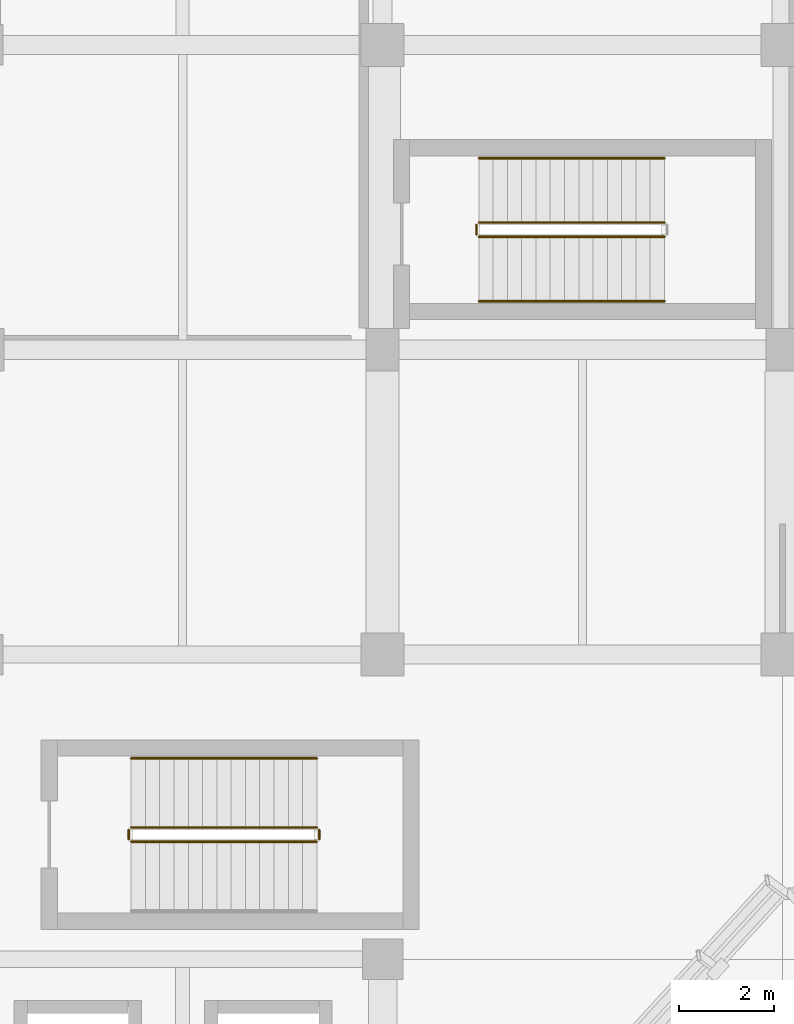
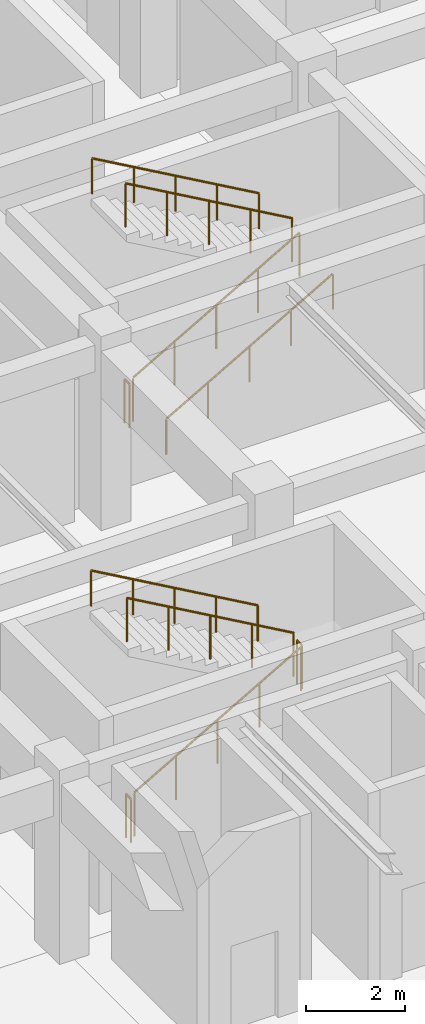
# One storey, part 66 of 72: 10 railings.
"""IFC4 building model written with IfcOpenShell, lengths in metres."""

from ifc_helpers import new_model, si_unit, direction, frame, origin, origin_2d, place, context, subcontext, project, spatial, circle, extrude, material, type_object, element, save


model = new_model("IFC4")

# Units and contexts
model_context = context("Model", 3, precision=1e-05, world=origin(), true_north=direction((0.0, 1.0)))
body_context = subcontext(model_context, "Body", "Model", "MODEL_VIEW")
ifc_project = project(units=[si_unit("LENGTHUNIT", "METRE"), si_unit("AREAUNIT", "SQUARE_METRE"), si_unit("VOLUMEUNIT", "CUBIC_METRE"), si_unit("PLANEANGLEUNIT", "RADIAN"), si_unit("MASSUNIT", "GRAM", prefix="KILO")], contexts=[model_context])

# Site, building, storey
site_placement = place(None, origin())
site = spatial("IfcSite", under=ifc_project, at=site_placement, CompositionType="ELEMENT")
building_placement = place(site_placement, origin())
building = spatial("IfcBuilding", under=site, at=building_placement, Name="Korsvaeld Concert Hall", CompositionType="ELEMENT")
storey_placement = place(building_placement, origin())
storey = spatial("IfcBuildingStorey", under=building, at=storey_placement, Name="L00", CompositionType="ELEMENT", Elevation=0.0)

# Railings
ifc_material_1 = material(Name="Powder-coated steel and bronze stair guardrail", Category="steel")
railing_type_1 = type_object("IfcRailingType", Name="RL-STAIR-GUARD-120", PredefinedType="GUARDRAIL", material=ifc_material_1)
railing_1_placement = place(storey_placement, frame((53.52001953125, 79.27001953125, 0.17138671875)))
element("IfcRailing", 1, at=railing_1_placement, inside=storey, type_object=railing_type_1, Name="L00 ST-K1 stair guard 1", PredefinedType="GUARDRAIL", context=body_context, shape_type="SweptSolid", body=[
    extrude(circle(Radius=0.02392578125, at=origin_2d()), frame((0.0, 0.0, 1.076171875), z_axis=(0.868243142124, 0.0, 0.496138938357), x_axis=(0.0, 1.0, 0.0)), (0.0, 0.0, 1.0), 4.49169921875),
    extrude(circle(Radius=0.02099609375, at=origin_2d()), origin(), (0.0, 0.0, 1.0), 1.052001953125),
    extrude(circle(Radius=0.02099609375, at=origin_2d()), frame((0.97509765625, 0.0, 0.55712890625)), (0.0, 0.0, 1.0), 1.052001953125),
    extrude(circle(Radius=0.02099609375, at=origin_2d()), frame((1.949951171875, 0.0, 1.1142578125)), (0.0, 0.0, 1.0), 1.052001953125),
    extrude(circle(Radius=0.02099609375, at=origin_2d()), frame((2.9248046875, 0.0, 1.67138671875)), (0.0, 0.0, 1.0), 1.052001953125),
    extrude(circle(Radius=0.02099609375, at=origin_2d()), frame((3.89990234375, 0.0, 2.228515625)), (0.0, 0.0, 1.0), 1.052001953125),
])
railing_2_placement = place(storey_placement, frame((57.469970703125, 79.320068359375, 2.39990234375)))
element("IfcRailing", 2, at=railing_2_placement, inside=storey, type_object=railing_type_1, Name="L00 ST-K1 stair guard 2", PredefinedType="GUARDRAIL", context=body_context, shape_type="SweptSolid", body=[
    extrude(circle(Radius=0.02392578125, at=origin_2d()), frame((0.0, 0.0, 1.076171875), z_axis=(0.0, 1.0, 0.0), x_axis=(-1.0, 0.0, 0.0)), (0.0, 0.0, 1.0), 0.199951171875),
    extrude(circle(Radius=0.02099609375, at=origin_2d()), origin(), (0.0, 0.0, 1.0), 1.052001953125),
    extrude(circle(Radius=0.02099609375, at=origin_2d()), frame((0.0, 0.199951171875, 0.0)), (0.0, 0.0, 1.0), 1.052001953125),
])
railing_3_placement = place(storey_placement, frame((57.419921875, 79.570068359375, 2.571533203125)))
element("IfcRailing", 3, at=railing_3_placement, inside=storey, type_object=railing_type_1, Name="L00 ST-K1 stair guard 3", PredefinedType="GUARDRAIL", context=body_context, shape_type="SweptSolid", body=[
    extrude(circle(Radius=0.02392578125, at=origin_2d()), frame((0.0, 0.0, 1.076171875), z_axis=(-0.868243142124, 0.0, 0.496138938357), x_axis=(0.0, -1.0, 0.0)), (0.0, 0.0, 1.0), 4.49169921875),
    extrude(circle(Radius=0.02099609375, at=origin_2d()), origin(), (0.0, 0.0, 1.0), 1.052001953125),
    extrude(circle(Radius=0.02099609375, at=origin_2d()), frame((-0.97509765625, 0.0, 0.55712890625)), (0.0, 0.0, 1.0), 1.052001953125),
    extrude(circle(Radius=0.02099609375, at=origin_2d()), frame((-1.949951171875, 0.0, 1.1142578125)), (0.0, 0.0, 1.0), 1.052001953125),
    extrude(circle(Radius=0.02099609375, at=origin_2d()), frame((-2.9248046875, 0.0, 1.67138671875)), (0.0, 0.0, 1.0), 1.052001953125),
    extrude(circle(Radius=0.02099609375, at=origin_2d()), frame((-3.89990234375, 0.0, 2.228515625)), (0.0, 0.0, 1.0), 1.052001953125),
])
railing_4_placement = place(storey_placement, frame((53.469970703125, 79.320068359375, 0.0)))
element("IfcRailing", 4, at=railing_4_placement, inside=storey, type_object=railing_type_1, Name="L00 ST-K1 stair guard 4", PredefinedType="GUARDRAIL", context=body_context, shape_type="SweptSolid", body=[
    extrude(circle(Radius=0.02392578125, at=origin_2d()), frame((0.0, 0.0, 1.076171875), z_axis=(0.0, 1.0, 0.0), x_axis=(-1.0, 0.0, 0.0)), (0.0, 0.0, 1.0), 0.199951171875),
    extrude(circle(Radius=0.02099609375, at=origin_2d()), origin(), (0.0, 0.0, 1.0), 1.052001953125),
    extrude(circle(Radius=0.02099609375, at=origin_2d()), frame((0.0, 0.199951171875, 0.0)), (0.0, 0.0, 1.0), 1.052001953125),
])
railing_5_placement = place(storey_placement, frame((60.820068359375, 91.969970703125, 0.17138671875)))
element("IfcRailing", 5, at=railing_5_placement, inside=storey, type_object=railing_type_1, Name="L00 ST-K5 stair guard 1", PredefinedType="GUARDRAIL", context=body_context, shape_type="SweptSolid", body=[
    extrude(circle(Radius=0.02392578125, at=origin_2d()), frame((0.0, 0.0, 1.076171875), z_axis=(0.868243142124, 0.0, 0.496138938357), x_axis=(0.0, 1.0, 0.0)), (0.0, 0.0, 1.0), 4.49169921875),
    extrude(circle(Radius=0.02099609375, at=origin_2d()), origin(), (0.0, 0.0, 1.0), 1.052001953125),
    extrude(circle(Radius=0.02099609375, at=origin_2d()), frame((0.97509765625, 0.0, 0.55712890625)), (0.0, 0.0, 1.0), 1.052001953125),
    extrude(circle(Radius=0.02099609375, at=origin_2d()), frame((1.949951171875, 0.0, 1.1142578125)), (0.0, 0.0, 1.0), 1.052001953125),
    extrude(circle(Radius=0.02099609375, at=origin_2d()), frame((2.9248046875, 0.0, 1.67138671875)), (0.0, 0.0, 1.0), 1.052001953125),
    extrude(circle(Radius=0.02099609375, at=origin_2d()), frame((3.89990234375, 0.0, 2.228515625)), (0.0, 0.0, 1.0), 1.052001953125),
])
railing_6_placement = place(storey_placement, frame((64.719970703125, 92.27001953125, 2.571533203125)))
element("IfcRailing", 6, at=railing_6_placement, inside=storey, type_object=railing_type_1, Name="L00 ST-K5 stair guard 3", PredefinedType="GUARDRAIL", context=body_context, shape_type="SweptSolid", body=[
    extrude(circle(Radius=0.02392578125, at=origin_2d()), frame((0.0, 0.0, 1.076171875), z_axis=(-0.868243142124, 0.0, 0.496138938357), x_axis=(0.0, -1.0, 0.0)), (0.0, 0.0, 1.0), 4.49169921875),
    extrude(circle(Radius=0.02099609375, at=origin_2d()), origin(), (0.0, 0.0, 1.0), 1.052001953125),
    extrude(circle(Radius=0.02099609375, at=origin_2d()), frame((-0.97509765625, 0.0, 0.55712890625)), (0.0, 0.0, 1.0), 1.052001953125),
    extrude(circle(Radius=0.02099609375, at=origin_2d()), frame((-1.949951171875, 0.0, 1.1142578125)), (0.0, 0.0, 1.0), 1.052001953125),
    extrude(circle(Radius=0.02099609375, at=origin_2d()), frame((-2.9248046875, 0.0, 1.67138671875)), (0.0, 0.0, 1.0), 1.052001953125),
    extrude(circle(Radius=0.02099609375, at=origin_2d()), frame((-3.89990234375, 0.0, 2.228515625)), (0.0, 0.0, 1.0), 1.052001953125),
])
railing_7_placement = place(storey_placement, frame((60.77001953125, 92.02001953125, 0.0)))
element("IfcRailing", 7, at=railing_7_placement, inside=storey, type_object=railing_type_1, Name="L00 ST-K5 stair guard 4", PredefinedType="GUARDRAIL", context=body_context, shape_type="SweptSolid", body=[
    extrude(circle(Radius=0.02392578125, at=origin_2d()), frame((0.0, 0.0, 1.076171875), z_axis=(0.0, 1.0, 0.0), x_axis=(-1.0, 0.0, 0.0)), (0.0, 0.0, 1.0), 0.199951171875),
    extrude(circle(Radius=0.02099609375, at=origin_2d()), origin(), (0.0, 0.0, 1.0), 1.052001953125),
    extrude(circle(Radius=0.02099609375, at=origin_2d()), frame((0.0, 0.199951171875, 0.0)), (0.0, 0.0, 1.0), 1.052001953125),
])
ifc_material_2 = material(Name="European oak and bronze stair handrail")
railing_type_2 = type_object("IfcRailingType", Name="RL-STAIR-HAND-90", PredefinedType="HANDRAIL", material=ifc_material_2)
railing_8_placement = place(storey_placement, frame((57.419921875, 81.02001953125, 2.571533203125)))
element("IfcRailing", 8, at=railing_8_placement, inside=storey, type_object=railing_type_2, Name="L00 ST-K1 stair handrail 2", PredefinedType="HANDRAIL", context=body_context, shape_type="SweptSolid", body=[
    extrude(circle(Radius=0.02392578125, at=origin_2d()), frame((0.0, 0.0, 0.8759765625), z_axis=(-0.868243142124, 0.0, 0.496138938357), x_axis=(0.0, -1.0, 0.0)), (0.0, 0.0, 1.0), 4.49169921875),
    extrude(circle(Radius=0.02099609375, at=origin_2d()), origin(), (0.0, 0.0, 1.0), 0.851806640625),
    extrude(circle(Radius=0.02099609375, at=origin_2d()), frame((-0.97509765625, 0.0, 0.55712890625)), (0.0, 0.0, 1.0), 0.851806640625),
    extrude(circle(Radius=0.02099609375, at=origin_2d()), frame((-1.949951171875, 0.0, 1.1142578125)), (0.0, 0.0, 1.0), 0.851806640625),
    extrude(circle(Radius=0.02099609375, at=origin_2d()), frame((-2.9248046875, 0.0, 1.67138671875)), (0.0, 0.0, 1.0), 0.851806640625),
    extrude(circle(Radius=0.02099609375, at=origin_2d()), frame((-3.89990234375, 0.0, 2.228515625)), (0.0, 0.0, 1.0), 0.851806640625),
])
railing_9_placement = place(storey_placement, frame((60.820068359375, 90.6201171875, 0.17138671875)))
element("IfcRailing", 9, at=railing_9_placement, inside=storey, type_object=railing_type_2, Name="L00 ST-K5 stair handrail 1", PredefinedType="HANDRAIL", context=body_context, shape_type="SweptSolid", body=[
    extrude(circle(Radius=0.02392578125, at=origin_2d()), frame((0.0, 0.0, 0.8759765625), z_axis=(0.868243142124, 0.0, 0.496138938357), x_axis=(0.0, 1.0, 0.0)), (0.0, 0.0, 1.0), 4.49169921875),
    extrude(circle(Radius=0.02099609375, at=origin_2d()), origin(), (0.0, 0.0, 1.0), 0.851806640625),
    extrude(circle(Radius=0.02099609375, at=origin_2d()), frame((0.97509765625, 0.0, 0.55712890625)), (0.0, 0.0, 1.0), 0.851806640625),
    extrude(circle(Radius=0.02099609375, at=origin_2d()), frame((1.949951171875, 0.0, 1.1142578125)), (0.0, 0.0, 1.0), 0.851806640625),
    extrude(circle(Radius=0.02099609375, at=origin_2d()), frame((2.9248046875, 0.0, 1.67138671875)), (0.0, 0.0, 1.0), 0.851806640625),
    extrude(circle(Radius=0.02099609375, at=origin_2d()), frame((3.89990234375, 0.0, 2.228515625)), (0.0, 0.0, 1.0), 0.851806640625),
])
railing_10_placement = place(storey_placement, frame((64.719970703125, 93.6201171875, 2.571533203125)))
element("IfcRailing", 10, at=railing_10_placement, inside=storey, type_object=railing_type_2, Name="L00 ST-K5 stair handrail 2", PredefinedType="HANDRAIL", context=body_context, shape_type="SweptSolid", body=[
    extrude(circle(Radius=0.02392578125, at=origin_2d()), frame((0.0, 0.0, 0.8759765625), z_axis=(-0.868243142124, 0.0, 0.496138938357), x_axis=(0.0, -1.0, 0.0)), (0.0, 0.0, 1.0), 4.49169921875),
    extrude(circle(Radius=0.02099609375, at=origin_2d()), origin(), (0.0, 0.0, 1.0), 0.851806640625),
    extrude(circle(Radius=0.02099609375, at=origin_2d()), frame((-0.97509765625, 0.0, 0.55712890625)), (0.0, 0.0, 1.0), 0.851806640625),
    extrude(circle(Radius=0.02099609375, at=origin_2d()), frame((-1.949951171875, 0.0, 1.1142578125)), (0.0, 0.0, 1.0), 0.851806640625),
    extrude(circle(Radius=0.02099609375, at=origin_2d()), frame((-2.9248046875, 0.0, 1.67138671875)), (0.0, 0.0, 1.0), 0.851806640625),
    extrude(circle(Radius=0.02099609375, at=origin_2d()), frame((-3.89990234375, 0.0, 2.228515625)), (0.0, 0.0, 1.0), 0.851806640625),
])

save(model, "model.ifc")
